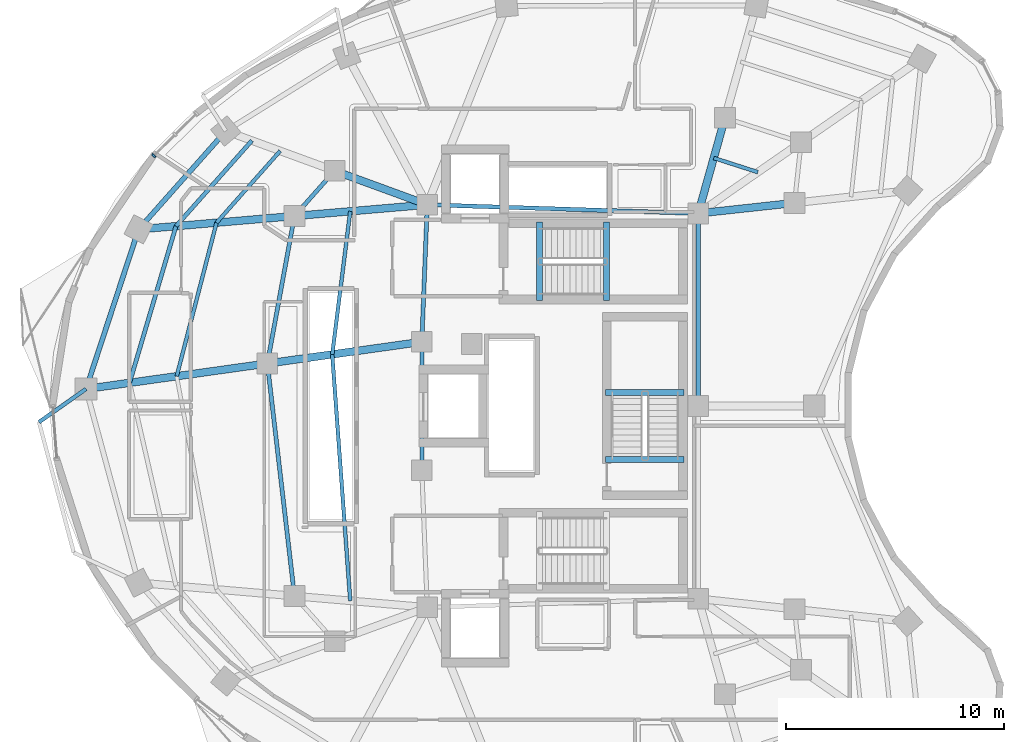
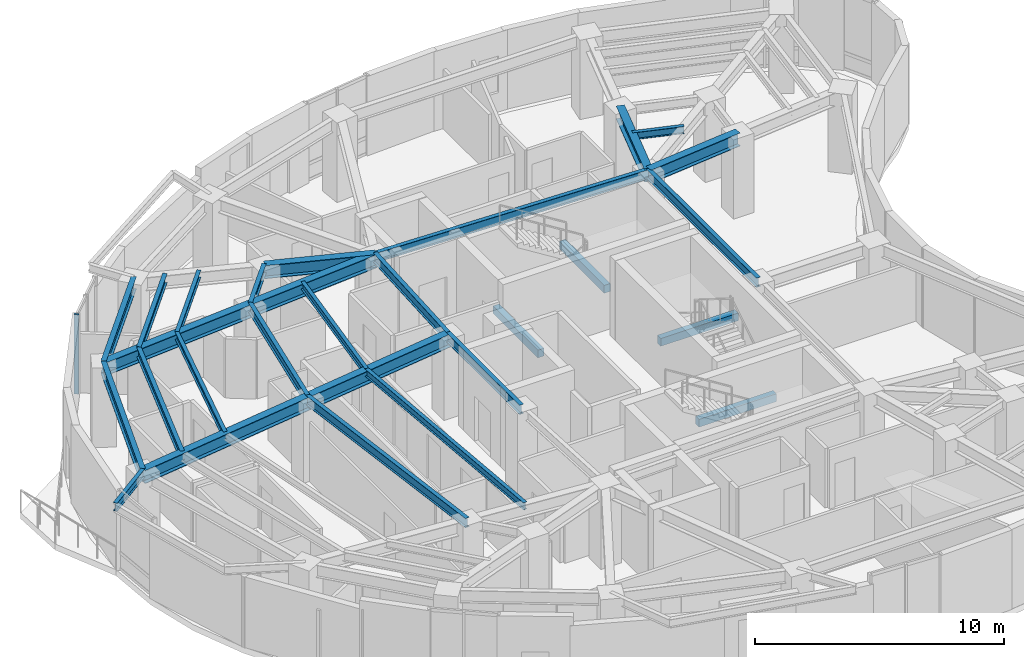
# One storey, part 3 of 13: 28 beams, 1 member, 1 element without a shape of its own.
"""IFC4 building model written with IfcOpenShell, lengths in metres."""

from ifc_helpers import new_model, si_unit, direction, frame, origin, origin_2d, place, context, subcontext, project, spatial, rectangle, i_section, extrude, material, layer, layer_set, material_profile, profile_set, type_object, element, aggregate, save


model = new_model("IFC4")

# Units and contexts
model_context = context("Model", 3, precision=1e-05, world=origin(), true_north=direction((0.0, 1.0)))
body_context = subcontext(model_context, "Body", "Model", "MODEL_VIEW")
ifc_project = project(units=[si_unit("LENGTHUNIT", "METRE"), si_unit("AREAUNIT", "SQUARE_METRE"), si_unit("VOLUMEUNIT", "CUBIC_METRE"), si_unit("PLANEANGLEUNIT", "RADIAN"), si_unit("MASSUNIT", "GRAM", prefix="KILO")], contexts=[model_context])

# Site, building, storey
site_placement = place(None, origin())
site = spatial("IfcSite", under=ifc_project, at=site_placement, CompositionType="ELEMENT")
building_placement = place(site_placement, origin())
building = spatial("IfcBuilding", under=site, at=building_placement, Name="Korentha Bioscience Tower", CompositionType="ELEMENT")
storey_placement = place(building_placement, frame((0.0, 0.0, 171.0)))
storey = spatial("IfcBuildingStorey", under=building, at=storey_placement, Name="L39", CompositionType="ELEMENT", Elevation=171.0)

# Beams
ifc_material_1 = material(Name="Concrete C50", Category="concrete")
ifc_material_profile_1 = material_profile(ifc_material_1, rectangle(XDim=0.280029296875, YDim=0.3798828125, at=origin_2d()), Name="Concrete C50")
ifc_profile_set_1 = profile_set([ifc_material_profile_1], Name="Concrete C50 (ST-HB380)")
beam_type_1 = type_object("IfcBeamType", Name="Concrete Stair Header Beam RC 280x380", PredefinedType="BEAM", material=ifc_profile_set_1)
for number, where, z_axis, x_axis, name in (
    (1, (30.25, 31.85009765625, -0.18994140625), (0.0, 1.0, 0.0), (-1.0, 0.0, 0.0), "L39 ST-1 Concrete Stair Header Beam"),
    (2, (33.330078125, 31.85009765625, 1.909912109375), (0.0, 1.0, 0.0), (-1.0, 0.0, 0.0), "L39 ST-1 Half-Landing Header Beam 1"),
    (3, (36.89990234375, 24.550048828125, -0.18994140625), (-1.0, 0.0, 0.0), (0.0, -1.0, 0.0), "L39 ST-3 Concrete Stair Header Beam"),
    (4, (36.89990234375, 27.6298828125, 1.909912109375), (-1.0, 0.0, 0.0), (0.0, -1.0, 0.0), "L39 ST-3 Half-Landing Header Beam 1"),
):
    element("IfcBeam", number, at=place(storey_placement, frame(where, z_axis=z_axis, x_axis=x_axis)), inside=storey, type_object=beam_type_1, Name=name, PredefinedType="BEAM", context=body_context, shape_type="SweptSolid", body=[
        extrude(rectangle(XDim=0.280029296875, YDim=0.3798828125, at=origin_2d()), origin(), (0.0, 0.0, 1.0), 3.599853515625),
    ])
ifc_material_2 = material(Name="Steel S355", Category="steel")
ifc_material_profile_2 = material_profile(ifc_material_2, i_section(OverallWidth=0.18994140625, OverallDepth=0.45703125, WebThickness=0.009033203125, FlangeThickness=0.014404296875, at=origin_2d()), Name="Steel S355")
ifc_profile_set_2 = profile_set([ifc_material_profile_2], Name="Steel S355 (MB-460)")
beam_type_2 = type_object("IfcBeamType", Name="Mid-Ring Tie Girder W460x74", PredefinedType="BEAM", material=ifc_profile_set_2)
beam_1_placement = place(storey_placement, frame((20.84228515625, 37.807861328125, 3.67138671875), z_axis=(-0.663512238321, -0.748165429299, 0.0), x_axis=(0.748165429299, -0.663512238321, 0.0)))
element("IfcBeam", 5, at=beam_1_placement, inside=storey, type_object=beam_type_2, Name="L39 Mid-Ring Tie Girder 05", PredefinedType="BEAM", context=body_context, shape_type="SweptSolid", body=[
    extrude(i_section(OverallWidth=0.18994140625, OverallDepth=0.45703125, WebThickness=0.009033203125, FlangeThickness=0.014404296875, at=origin_2d()), origin(), (0.0, 0.0, 1.0), 2.77734375),
])
beam_2_placement = place(storey_placement, frame((18.99951171875, 35.72998046875, 3.67138671875), z_axis=(-0.180880998363, -0.98350498953, 0.0), x_axis=(0.98350498953, -0.180880998363, 0.0)))
element("IfcBeam", 6, at=beam_2_placement, inside=storey, type_object=beam_type_2, Name="L39 Mid-Ring Tie Girder 06", PredefinedType="BEAM", context=body_context, shape_type="SweptSolid", body=[
    extrude(i_section(OverallWidth=0.18994140625, OverallDepth=0.45703125, WebThickness=0.009033203125, FlangeThickness=0.014404296875, at=origin_2d()), origin(), (0.0, 0.0, 1.0), 6.888916015625),
])
beam_3_placement = place(storey_placement, frame((17.75341796875, 28.95458984375, 3.67138671875), z_axis=(0.115840395246, -0.993267840428, 0.0), x_axis=(0.993267840428, 0.115840395246, 0.0)))
element("IfcBeam", 7, at=beam_3_placement, inside=storey, type_object=beam_type_2, Name="L39 Mid-Ring Tie Girder 07", PredefinedType="BEAM", context=body_context, shape_type="SweptSolid", body=[
    extrude(i_section(OverallWidth=0.18994140625, OverallDepth=0.45703125, WebThickness=0.009033203125, FlangeThickness=0.014404296875, at=origin_2d()), origin(), (0.0, 0.0, 1.0), 10.757080078125),
])
beam_4_placement = place(storey_placement, frame((37.550048828125, 35.85009765625, 3.67138671875), z_axis=(-0.999484526071, 0.032104238723, 0.0), x_axis=(-0.032104238723, -0.999484526071, 0.0)))
element("IfcBeam", 8, at=beam_4_placement, inside=storey, type_object=beam_type_2, Name="L39 Core Ring Tie Girder 01", PredefinedType="BEAM", context=body_context, shape_type="SweptSolid", body=[
    extrude(i_section(OverallWidth=0.18994140625, OverallDepth=0.45703125, WebThickness=0.009033203125, FlangeThickness=0.014404296875, at=origin_2d()), origin(), (0.0, 0.0, 1.0), 12.456298828125),
])
beam_5_placement = place(storey_placement, frame((25.10009765625, 36.25, 3.67138671875), z_axis=(-0.039651025576, -0.999213588864, 0.0), x_axis=(0.999213588864, -0.039651025576, 0.0)))
element("IfcBeam", 9, at=beam_5_placement, inside=storey, type_object=beam_type_2, Name="L39 Core Ring Tie Girder 02", PredefinedType="BEAM", context=body_context, shape_type="SweptSolid", body=[
    extrude(i_section(OverallWidth=0.18994140625, OverallDepth=0.45703125, WebThickness=0.009033203125, FlangeThickness=0.014404296875, at=origin_2d()), origin(), (0.0, 0.0, 1.0), 6.304931640625),
])
beam_6_placement = place(storey_placement, frame((24.85009765625, 29.949951171875, 3.67138671875), z_axis=(0.0, -1.0, 0.0), x_axis=(1.0, 0.0, 0.0)))
element("IfcBeam", 10, at=beam_6_placement, inside=storey, type_object=beam_type_2, Name="L39 Core Ring Tie Girder 03", PredefinedType="BEAM", context=body_context, shape_type="SweptSolid", body=[
    extrude(i_section(OverallWidth=0.18994140625, OverallDepth=0.45703125, WebThickness=0.009033203125, FlangeThickness=0.014404296875, at=origin_2d()), origin(), (0.0, 0.0, 1.0), 5.89990234375),
])
beam_7_placement = place(storey_placement, frame((37.550048828125, 27.0, 3.67138671875), z_axis=(0.0, 1.0, 0.0), x_axis=(-1.0, 0.0, 0.0)))
element("IfcBeam", 11, at=beam_7_placement, inside=storey, type_object=beam_type_2, Name="L39 Core Ring Tie Girder 07", PredefinedType="BEAM", context=body_context, shape_type="SweptSolid", body=[
    extrude(i_section(OverallWidth=0.18994140625, OverallDepth=0.45703125, WebThickness=0.009033203125, FlangeThickness=0.014404296875, at=origin_2d()), origin(), (0.0, 0.0, 1.0), 8.85009765625),
])

# Curtain wall, member
ifc_material_3 = material(Name="Thermally Broken Aluminium Frame", Category="aluminium")
ifc_layer = layer(ifc_material_3, 0.219970703125, Name="Thermally Broken Aluminium Frame")
ifc_layer_set = layer_set([ifc_layer], Name="Thermally Broken Aluminium Frame (CW-T1)")
curtain_wall_type = type_object("IfcCurtainWallType", Name="Standard Bioscience Lab Unitised Curtain Wall CW-T1", PredefinedType="USERDEFINED", material=ifc_layer_set)
curtain_wall_placement = place(storey_placement, origin())
curtain_wall = element("IfcCurtainWall", 12, at=curtain_wall_placement, inside=storey, type_object=curtain_wall_type, Name="L39 Curtain Wall 13", ObjectType="UNITISED", PredefinedType="USERDEFINED")
ifc_material_4 = material(Name="Anodised Aluminium 6063-T6", Category="aluminium")
ifc_material_profile_3 = material_profile(ifc_material_4, rectangle(XDim=0.090087890625, YDim=0.199951171875, at=origin_2d()), Name="Anodised Aluminium 6063-T6")
ifc_profile_set_3 = profile_set([ifc_material_profile_3], Name="Anodised Aluminium 6063-T6 (CW-MUL)")
member_type = type_object("IfcMemberType", Name="Mullion RECT 90x200", PredefinedType="MULLION", material=ifc_profile_set_3)
member_placement = place(storey_placement, frame((12.53515625, 38.502685546875, 0.0), z_axis=(0.0, 0.0, 1.0), x_axis=(-0.711460557971, -0.702726030862, 0.0)))
member = element("IfcMember", 13, at=member_placement, type_object=member_type, Name="CW-L39-13 Mullion 3", PredefinedType="MULLION", context=body_context, shape_type="SweptSolid", body=[
    extrude(rectangle(XDim=0.090087890625, YDim=0.199951171875, at=origin_2d()), origin(), (0.0, 0.0, 1.0), 3.89990234375),
])
aggregate(curtain_wall, [member])

# Beams
ifc_material_profile_4 = material_profile(ifc_material_2, i_section(OverallWidth=0.22802734375, OverallDepth=0.60791015625, WebThickness=0.01123046875, FlangeThickness=0.017333984375, at=origin_2d()), Name="Steel S355")
ifc_profile_set_4 = profile_set([ifc_material_profile_4], Name="Steel S355 (SB-610)")
beam_type_3 = type_object("IfcBeamType", Name="Perimeter Ring Spandrel Girder W610x113", PredefinedType="SPANDREL", material=ifc_profile_set_4)
beam_8_placement = place(storey_placement, frame((15.843994140625, 39.63671875, 3.595947265625), z_axis=(-0.663502544942, -0.748174025782, 0.0), x_axis=(0.748174025782, -0.663502544942, 0.0)))
element("IfcBeam", 14, at=beam_8_placement, inside=storey, type_object=beam_type_3, Name="L39 Perimeter Spandrel Girder 05", PredefinedType="SPANDREL", context=body_context, shape_type="SweptSolid", body=[
    extrude(i_section(OverallWidth=0.22802734375, OverallDepth=0.60791015625, WebThickness=0.01123046875, FlangeThickness=0.017333984375, at=origin_2d()), origin(), (0.0, 0.0, 1.0), 6.037841796875),
])
beam_9_placement = place(storey_placement, frame((11.837890625, 35.119384765625, 3.595947265625), z_axis=(-0.312820215824, -0.949812356506, 0.0), x_axis=(0.949812356506, -0.312820215824, 0.0)))
element("IfcBeam", 15, at=beam_9_placement, inside=storey, type_object=beam_type_3, Name="L39 Perimeter Spandrel Girder 06", PredefinedType="SPANDREL", context=body_context, shape_type="SweptSolid", body=[
    extrude(i_section(OverallWidth=0.22802734375, OverallDepth=0.60791015625, WebThickness=0.01123046875, FlangeThickness=0.017333984375, at=origin_2d()), origin(), (0.0, 0.0, 1.0), 7.720947265625),
])
ifc_material_profile_5 = material_profile(ifc_material_2, i_section(OverallWidth=0.18994140625, OverallDepth=0.45703125, WebThickness=0.009033203125, FlangeThickness=0.014404296875, at=origin_2d()), Name="Steel S355")
ifc_profile_set_5 = profile_set([ifc_material_profile_5], Name="Steel S355 (RB-460)")
beam_type_4 = type_object("IfcBeamType", Name="Radial Laboratory Beam W460x74", PredefinedType="BEAM", material=ifc_profile_set_5)
beam_10_placement = place(storey_placement, frame((17.043701171875, 39.197998046875, 3.67138671875), z_axis=(-0.663495511182, -0.748180263467, 0.0), x_axis=(0.748180263467, -0.663495511182, 0.0)))
element("IfcBeam", 16, at=beam_10_placement, inside=storey, type_object=beam_type_4, Name="L39 Secondary Floor Beam JSTO-05", PredefinedType="BEAM", context=body_context, shape_type="SweptSolid", body=[
    extrude(i_section(OverallWidth=0.18994140625, OverallDepth=0.45703125, WebThickness=0.009033203125, FlangeThickness=0.014404296875, at=origin_2d()), origin(), (0.0, 0.0, 1.0), 5.255615234375),
])
beam_11_placement = place(storey_placement, frame((13.556640625, 35.265869140625, 3.67138671875), z_axis=(-0.284283148615, -0.958740367051, 0.0), x_axis=(0.958740367051, -0.284283148615, 0.0)))
element("IfcBeam", 17, at=beam_11_placement, inside=storey, type_object=beam_type_4, Name="L39 Secondary Floor Beam JSTO-06", PredefinedType="BEAM", context=body_context, shape_type="SweptSolid", body=[
    extrude(i_section(OverallWidth=0.18994140625, OverallDepth=0.45703125, WebThickness=0.009033203125, FlangeThickness=0.014404296875, at=origin_2d()), origin(), (0.0, 0.0, 1.0), 7.50927734375),
])
ifc_material_profile_6 = material_profile(ifc_material_2, i_section(OverallWidth=0.35009765625, OverallDepth=0.64990234375, WebThickness=0.01611328125, FlangeThickness=0.02490234375, at=origin_2d()), Name="Steel S355")
ifc_profile_set_6 = profile_set([ifc_material_profile_6], Name="Steel S355 (RB-650)")
beam_type_5 = type_object("IfcBeamType", Name="Radial Laboratory Girder CVS 650x208", PredefinedType="BEAM", material=ifc_profile_set_6)
beam_12_placement = place(storey_placement, frame((37.550048828125, 35.85009765625, 3.574951171875), z_axis=(0.269477001654, 0.963006825303, 0.0), x_axis=(-0.963006825303, 0.269477001654, 0.0)))
element("IfcBeam", 18, at=beam_12_placement, inside=storey, type_object=beam_type_5, Name="L39 Inner Radial Girder 02", PredefinedType="BEAM", context=body_context, shape_type="SweptSolid", body=[
    extrude(i_section(OverallWidth=0.35009765625, OverallDepth=0.64990234375, WebThickness=0.01611328125, FlangeThickness=0.02490234375, at=origin_2d()), origin(), (0.0, 0.0, 1.0), 4.559814453125),
])
beam_13_placement = place(storey_placement, frame((25.10009765625, 36.25, 3.574951171875), z_axis=(-0.939113952431, 0.343605856105, 0.0), x_axis=(-0.343605856105, -0.939113952431, 0.0)))
element("IfcBeam", 19, at=beam_13_placement, inside=storey, type_object=beam_type_5, Name="L39 Inner Radial Girder 05", PredefinedType="BEAM", context=body_context, shape_type="SweptSolid", body=[
    extrude(i_section(OverallWidth=0.35009765625, OverallDepth=0.64990234375, WebThickness=0.01611328125, FlangeThickness=0.02490234375, at=origin_2d()), origin(), (0.0, 0.0, 1.0), 4.533935546875),
])
beam_14_placement = place(storey_placement, frame((25.10009765625, 36.25, 3.574951171875), z_axis=(-0.996386672138, -0.084932912264, 0.0), x_axis=(0.084932912264, -0.996386672138, 0.0)))
element("IfcBeam", 20, at=beam_14_placement, inside=storey, type_object=beam_type_5, Name="L39 Inner Radial Girder 06", PredefinedType="BEAM", context=body_context, shape_type="SweptSolid", body=[
    extrude(i_section(OverallWidth=0.35009765625, OverallDepth=0.64990234375, WebThickness=0.01611328125, FlangeThickness=0.02490234375, at=origin_2d()), origin(), (0.0, 0.0, 1.0), 6.122802734375),
])
beam_15_placement = place(storey_placement, frame((18.99951171875, 35.72998046875, 3.574951171875), z_axis=(-0.996385111181, -0.084951222577, 0.0), x_axis=(0.084951222577, -0.996385111181, 0.0)))
element("IfcBeam", 21, at=beam_15_placement, inside=storey, type_object=beam_type_5, Name="L39 Outer Radial Girder 06", PredefinedType="BEAM", context=body_context, shape_type="SweptSolid", body=[
    extrude(i_section(OverallWidth=0.35009765625, OverallDepth=0.64990234375, WebThickness=0.01611328125, FlangeThickness=0.02490234375, at=origin_2d()), origin(), (0.0, 0.0, 1.0), 7.1875),
])
beam_16_placement = place(storey_placement, frame((24.85009765625, 29.949951171875, 3.574951171875), z_axis=(-0.990306724295, -0.138897774699, 0.0), x_axis=(0.138897774699, -0.990306724295, 0.0)))
element("IfcBeam", 22, at=beam_16_placement, inside=storey, type_object=beam_type_5, Name="L39 Inner Radial Girder 07", PredefinedType="BEAM", context=body_context, shape_type="SweptSolid", body=[
    extrude(i_section(OverallWidth=0.35009765625, OverallDepth=0.64990234375, WebThickness=0.01611328125, FlangeThickness=0.02490234375, at=origin_2d()), origin(), (0.0, 0.0, 1.0), 7.166259765625),
])
beam_17_placement = place(storey_placement, frame((17.75341796875, 28.95458984375, 3.574951171875), z_axis=(-0.990302735089, -0.138926213782, 0.0), x_axis=(0.138926213782, -0.990302735089, 0.0)))
element("IfcBeam", 23, at=beam_17_placement, inside=storey, type_object=beam_type_5, Name="L39 Outer Radial Girder 07", PredefinedType="BEAM", context=body_context, shape_type="SweptSolid", body=[
    extrude(i_section(OverallWidth=0.35009765625, OverallDepth=0.64990234375, WebThickness=0.01611328125, FlangeThickness=0.02490234375, at=origin_2d()), origin(), (0.0, 0.0, 1.0), 8.412353515625),
])
beam_18_placement = place(storey_placement, frame((37.550048828125, 35.85009765625, 3.574951171875), z_axis=(0.994118939953, 0.108293735857, 0.0), x_axis=(-0.108293735857, 0.994118939953, 0.0)))
element("IfcBeam", 24, at=beam_18_placement, inside=storey, type_object=beam_type_5, Name="L39 Inner Radial Girder 16", PredefinedType="BEAM", context=body_context, shape_type="SweptSolid", body=[
    extrude(i_section(OverallWidth=0.35009765625, OverallDepth=0.64990234375, WebThickness=0.01611328125, FlangeThickness=0.02490234375, at=origin_2d()), origin(), (0.0, 0.0, 1.0), 4.4501953125),
])
ifc_material_profile_7 = material_profile(ifc_material_2, i_section(OverallWidth=0.1708984375, OverallDepth=0.35498046875, WebThickness=0.007080078125, FlangeThickness=0.01171875, at=origin_2d()), Name="Steel S355")
ifc_profile_set_7 = profile_set([ifc_material_profile_7], Name="Steel S355 (JB-360)")
beam_type_6 = type_object("IfcBeamType", Name="Secondary Laboratory Joist W360x51", PredefinedType="JOIST", material=ifc_profile_set_7)
beam_19_placement = place(storey_placement, frame((40.290283203125, 37.7451171875, 3.722412109375), z_axis=(-0.952010669267, 0.306064838885, 0.0), x_axis=(-0.306064838885, -0.952010669267, 0.0)))
element("IfcBeam", 25, at=beam_19_placement, inside=storey, type_object=beam_type_6, Name="L39 Inner Bay Joist 01", PredefinedType="JOIST", context=body_context, shape_type="SweptSolid", body=[
    extrude(i_section(OverallWidth=0.1708984375, OverallDepth=0.35498046875, WebThickness=0.007080078125, FlangeThickness=0.01171875, at=origin_2d()), origin(), (0.0, 0.0, 1.0), 2.1298828125),
])
beam_20_placement = place(storey_placement, frame((18.343017578125, 38.722412109375, 3.722412109375), z_axis=(-0.663462598754, -0.748209449322, 0.0), x_axis=(0.748209449322, -0.663462598754, 0.0)))
element("IfcBeam", 26, at=beam_20_placement, inside=storey, type_object=beam_type_6, Name="L39 Secondary Floor Beam JST-05", PredefinedType="JOIST", context=body_context, shape_type="SweptSolid", body=[
    extrude(i_section(OverallWidth=0.1708984375, OverallDepth=0.35498046875, WebThickness=0.007080078125, FlangeThickness=0.01171875, at=origin_2d()), origin(), (0.0, 0.0, 1.0), 4.40771484375),
])
beam_21_placement = place(storey_placement, frame((15.418701171875, 35.424560546875, 3.722412109375), z_axis=(-0.251203958933, -0.967934177006, 0.0), x_axis=(0.967934177006, -0.251203958933, 0.0)))
element("IfcBeam", 27, at=beam_21_placement, inside=storey, type_object=beam_type_6, Name="L39 Secondary Floor Beam JST-06", PredefinedType="JOIST", context=body_context, shape_type="SweptSolid", body=[
    extrude(i_section(OverallWidth=0.1708984375, OverallDepth=0.35498046875, WebThickness=0.007080078125, FlangeThickness=0.01171875, at=origin_2d()), origin(), (0.0, 0.0, 1.0), 7.2880859375),
])
beam_22_placement = place(storey_placement, frame((21.561767578125, 35.9482421875, 3.722412109375), z_axis=(-0.124914239886, -0.992167542643, 0.0), x_axis=(0.992167542643, -0.124914239886, 0.0)))
element("IfcBeam", 28, at=beam_22_placement, inside=storey, type_object=beam_type_6, Name="L39 Inner Bay Joist 06", PredefinedType="JOIST", context=body_context, shape_type="SweptSolid", body=[
    extrude(i_section(OverallWidth=0.1708984375, OverallDepth=0.35498046875, WebThickness=0.007080078125, FlangeThickness=0.01171875, at=origin_2d()), origin(), (0.0, 0.0, 1.0), 6.627685546875),
])
beam_23_placement = place(storey_placement, frame((20.73388671875, 29.37255859375, 3.722412109375), z_axis=(0.072934416258, -0.997336738983, 0.0), x_axis=(0.997336738983, 0.072934416258, 0.0)))
element("IfcBeam", 29, at=beam_23_placement, inside=storey, type_object=beam_type_6, Name="L39 Inner Bay Joist 07", PredefinedType="JOIST", context=body_context, shape_type="SweptSolid", body=[
    extrude(i_section(OverallWidth=0.1708984375, OverallDepth=0.35498046875, WebThickness=0.007080078125, FlangeThickness=0.01171875, at=origin_2d()), origin(), (0.0, 0.0, 1.0), 11.35107421875),
])
ifc_material_profile_8 = material_profile(ifc_material_2, i_section(OverallWidth=0.177978515625, OverallDepth=0.406982421875, WebThickness=0.0078125, FlangeThickness=0.0126953125, at=origin_2d()), Name="Steel S355")
ifc_profile_set_8 = profile_set([ifc_material_profile_8], Name="Steel S355 (CB-410)")
beam_type_7 = type_object("IfcBeamType", Name="Sun-Ledge Cantilever Beam W410x60", PredefinedType="BEAM", material=ifc_profile_set_8)
beam_24_placement = place(storey_placement, frame((9.422607421875, 27.785888671875, 3.698486328125), z_axis=(-0.816975535627, -0.576672328265, 0.0), x_axis=(0.576672328265, -0.816975535627, 0.0)))
element("IfcBeam", 30, at=beam_24_placement, inside=storey, type_object=beam_type_7, Name="L39 Balcony Cantilever Bracket A-L40-02", PredefinedType="BEAM", context=body_context, shape_type="SweptSolid", body=[
    extrude(i_section(OverallWidth=0.177978515625, OverallDepth=0.406982421875, WebThickness=0.0078125, FlangeThickness=0.0126953125, at=origin_2d()), origin(), (0.0, 0.0, 1.0), 2.6455078125),
])

save(model, "model.ifc")
